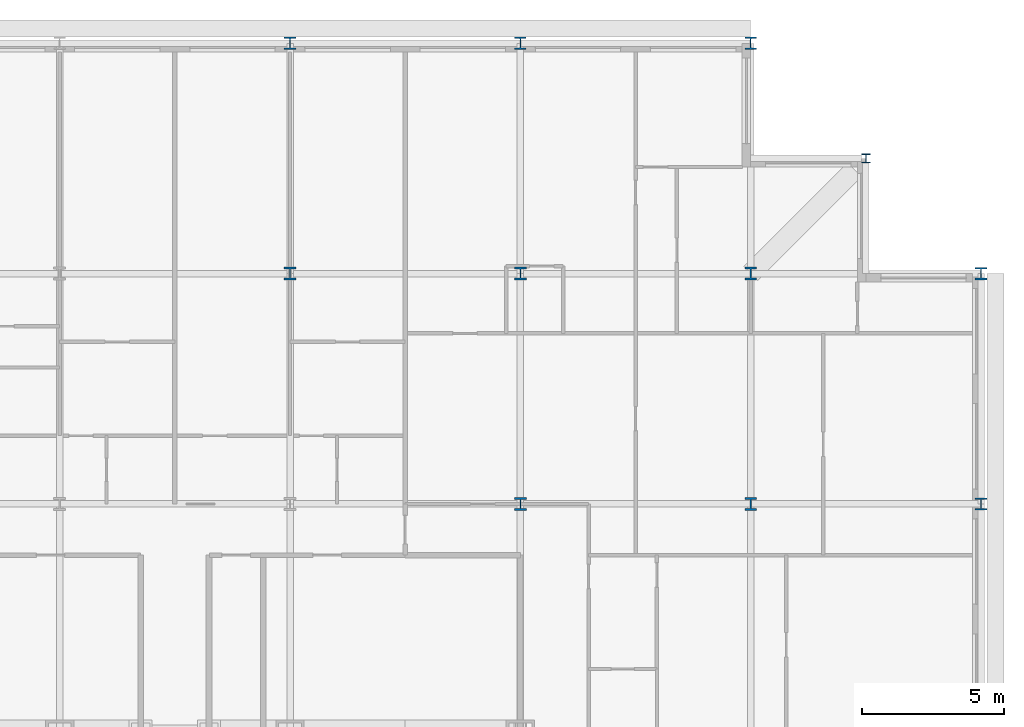
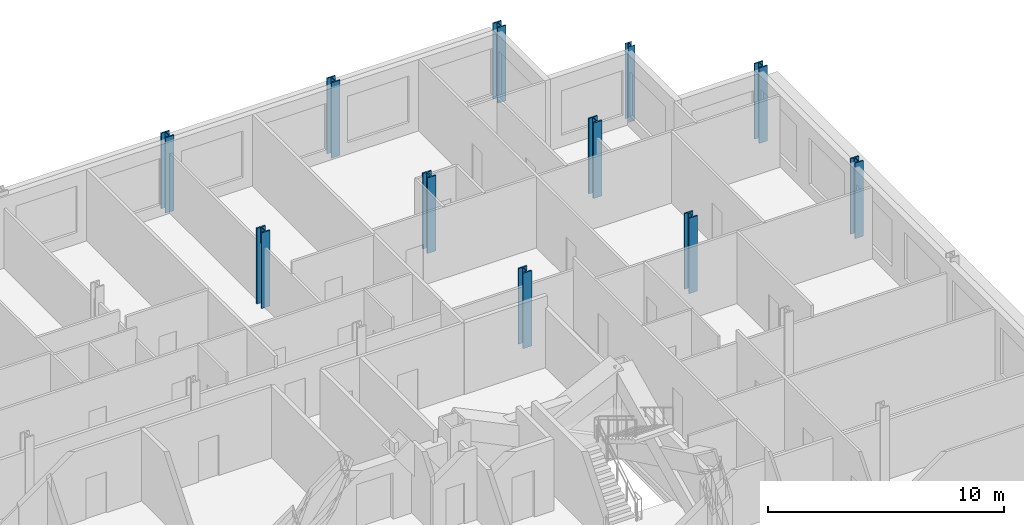
# One storey, part 4 of 16: 11 columns.
"""IFC4 building model written with IfcOpenShell, lengths in metres."""

from ifc_helpers import new_model, si_unit, direction, frame, origin, origin_2d, place, context, subcontext, project, spatial, i_section, extrude, material, material_profile, profile_set, type_object, element, save


model = new_model("IFC4")

# Units and contexts
model_context = context("Model", 3, precision=1e-05, world=origin(), true_north=direction((0.0, 1.0)))
body_context = subcontext(model_context, "Body", "Model", "MODEL_VIEW")
ifc_project = project(units=[si_unit("LENGTHUNIT", "METRE"), si_unit("AREAUNIT", "SQUARE_METRE"), si_unit("VOLUMEUNIT", "CUBIC_METRE"), si_unit("PLANEANGLEUNIT", "RADIAN"), si_unit("MASSUNIT", "GRAM", prefix="KILO")], contexts=[model_context])

# Site, building, storey
site_placement = place(None, origin())
site = spatial("IfcSite", under=ifc_project, at=site_placement, CompositionType="ELEMENT")
building_placement = place(site_placement, origin())
building = spatial("IfcBuilding", under=site, at=building_placement, Name="Kopane Lantern Tower", CompositionType="ELEMENT")
storey_placement = place(building_placement, frame((0.0, 0.0, 261.89990234375)))
storey = spatial("IfcBuildingStorey", under=building, at=storey_placement, Name="L67", CompositionType="ELEMENT", Elevation=261.89990234375)

# Columns
ifc_material_1 = material(Name="Steel S355JR", Category="steel")
ifc_material_profile_1 = material_profile(ifc_material_1, i_section(OverallWidth=0.307373046875, OverallDepth=0.314453125, WebThickness=0.011962890625, FlangeThickness=0.018798828125, FilletRadius=0.01513671875, at=origin_2d()), Name="UC 305x305x118")
ifc_profile_set_1 = profile_set([ifc_material_profile_1], Name="Steel S355JR")
column_type_1 = type_object("IfcColumnType", Name="COLUMN UC 305x305x118", PredefinedType="COLUMN", material=ifc_profile_set_1)
column_placement = place(storey_placement, frame((52.64990234375, 60.75, 0.0), z_axis=(0.0, 0.0, 1.0), x_axis=(1.0, 0.0, 0.0)))
element("IfcColumn", 1, at=column_placement, inside=storey, type_object=column_type_1, Name="Column 52.65/60.75 L67", PredefinedType="COLUMN", context=body_context, shape_type="SweptSolid", body=[
    extrude(i_section(OverallWidth=0.307373046875, OverallDepth=0.314453125, WebThickness=0.011962890625, FlangeThickness=0.018798828125, FilletRadius=0.01513671875, at=origin_2d()), origin(), (0.0, 0.0, 1.0), 3.900146484375),
])
ifc_material_2 = material(Name="Steel S355JR", Category="steel")
ifc_material_profile_2 = material_profile(ifc_material_2, i_section(OverallWidth=0.412109375, OverallDepth=0.4365234375, WebThickness=0.035888671875, FlangeThickness=0.05810546875, FilletRadius=0.01513671875, at=origin_2d()), Name="UC 356x406x467")
ifc_profile_set_2 = profile_set([ifc_material_profile_2], Name="Steel S355JR")
column_type_2 = type_object("IfcColumnType", Name="COLUMN UC 356x406x467", PredefinedType="COLUMN", material=ifc_profile_set_2)
for number, where, z_axis, x_axis, name in (
    (2, (32.39990234375, 64.800048828125, 0.0), (0.0, 0.0, 1.0), (1.0, 0.0, 0.0), "Column 6/K L67"),
    (3, (40.5, 64.800048828125, 0.0), (0.0, 0.0, 1.0), (1.0, 0.0, 0.0), "Column 7/K L67"),
    (4, (48.60009765625, 64.800048828125, 0.0), (0.0, 0.0, 1.0), (1.0, 0.0, 0.0), "Column 8/K L67"),
    (5, (56.699951171875, 48.60009765625, 0.0), (0.0, 0.0, 1.0), (1.0, 0.0, 0.0), "Column 9/H L67"),
    (6, (56.699951171875, 56.699951171875, 0.0), (0.0, 0.0, 1.0), (1.0, 0.0, 0.0), "Column 9/J L67"),
):
    element("IfcColumn", number, at=place(storey_placement, frame(where, z_axis=z_axis, x_axis=x_axis)), inside=storey, type_object=column_type_2, Name=name, PredefinedType="COLUMN", context=body_context, shape_type="SweptSolid", body=[
        extrude(i_section(OverallWidth=0.412109375, OverallDepth=0.4365234375, WebThickness=0.035888671875, FlangeThickness=0.05810546875, FilletRadius=0.01513671875, at=origin_2d()), origin(), (0.0, 0.0, 1.0), 3.900146484375),
    ])
ifc_material_3 = material(Name="Steel S355JR", Category="steel")
ifc_material_profile_3 = material_profile(ifc_material_3, i_section(OverallWidth=0.41845703125, OverallDepth=0.45556640625, WebThickness=0.0419921875, FlangeThickness=0.0673828125, FilletRadius=0.01513671875, at=origin_2d()), Name="UC 356x406x551")
ifc_profile_set_3 = profile_set([ifc_material_profile_3], Name="Steel S355JR")
column_type_3 = type_object("IfcColumnType", Name="COLUMN UC 356x406x551", PredefinedType="COLUMN", material=ifc_profile_set_3)
for number, where, z_axis, x_axis, name in (
    (7, (32.39990234375, 56.699951171875, 0.0), (0.0, 0.0, 1.0), (1.0, 0.0, 0.0), "Column 6/J L67"),
    (8, (40.5, 48.60009765625, 0.0), (0.0, 0.0, 1.0), (1.0, 0.0, 0.0), "Column 7/H L67"),
    (9, (40.5, 56.699951171875, 0.0), (0.0, 0.0, 1.0), (1.0, 0.0, 0.0), "Column 7/J L67"),
    (10, (48.60009765625, 48.60009765625, 0.0), (0.0, 0.0, 1.0), (1.0, 0.0, 0.0), "Column 8/H L67"),
    (11, (48.60009765625, 56.699951171875, 0.0), (0.0, 0.0, 1.0), (1.0, 0.0, 0.0), "Column 8/J L67"),
):
    element("IfcColumn", number, at=place(storey_placement, frame(where, z_axis=z_axis, x_axis=x_axis)), inside=storey, type_object=column_type_3, Name=name, PredefinedType="COLUMN", context=body_context, shape_type="SweptSolid", body=[
        extrude(i_section(OverallWidth=0.41845703125, OverallDepth=0.45556640625, WebThickness=0.0419921875, FlangeThickness=0.0673828125, FilletRadius=0.01513671875, at=origin_2d()), origin(), (0.0, 0.0, 1.0), 3.900146484375),
    ])

save(model, "model.ifc")
